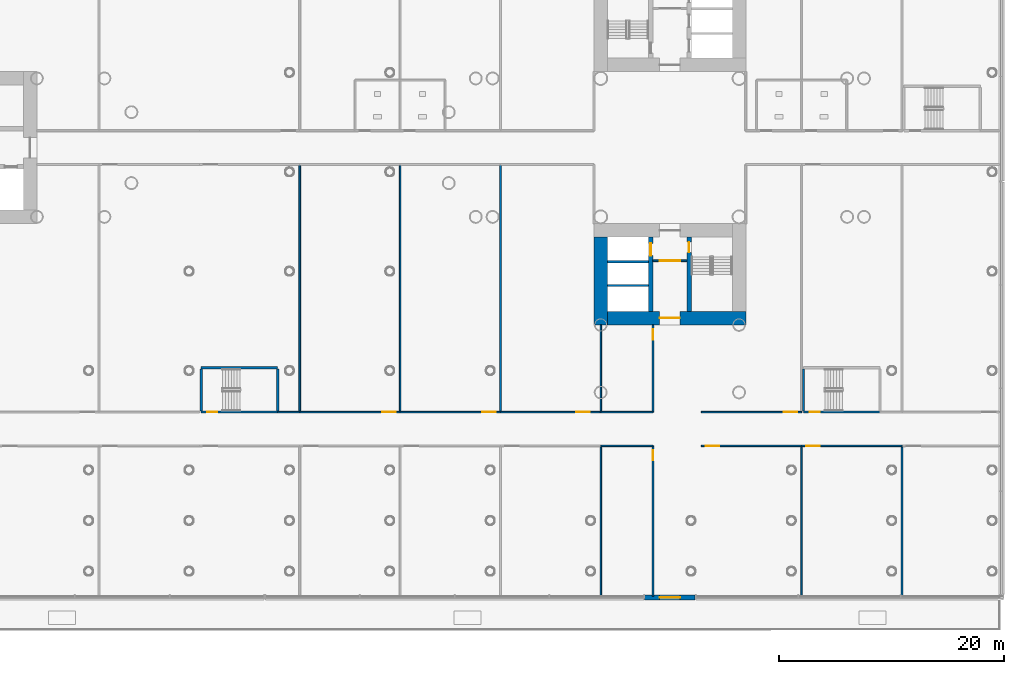
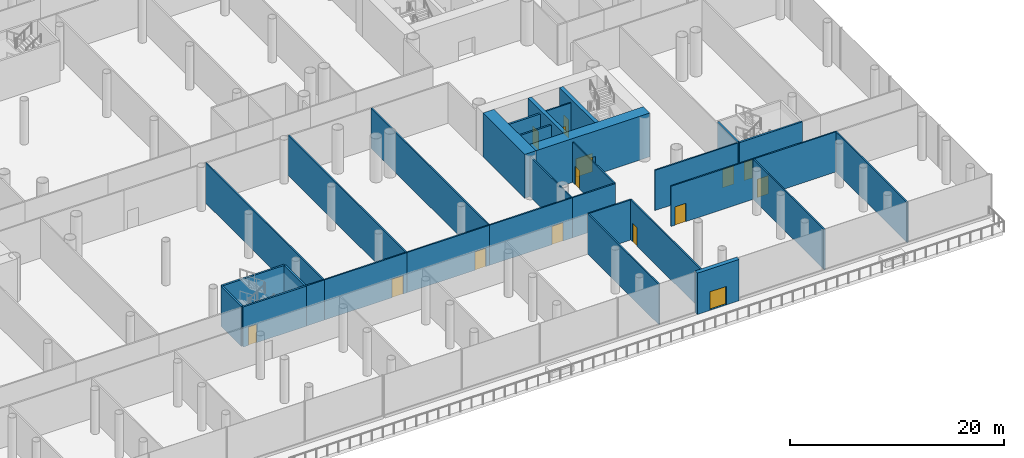
# One storey, part 20 of 59: 32 walls, 15 doors, 15 openings.
"""IFC4 building model written with IfcOpenShell, lengths in metres."""

from ifc_helpers import new_model, si_unit, direction, frame, frame_2d, origin, place, context, subcontext, project, spatial, rectangle, extrude, material, layer, layer_set, type_object, element, fill, save


model = new_model("IFC4")

# Units and contexts
model_context = context("Model", 3, precision=1e-05, world=origin(), true_north=direction((0.0, 1.0)))
body_context = subcontext(model_context, "Body", "Model", "MODEL_VIEW")
ifc_project = project(units=[si_unit("LENGTHUNIT", "METRE"), si_unit("AREAUNIT", "SQUARE_METRE"), si_unit("VOLUMEUNIT", "CUBIC_METRE"), si_unit("PLANEANGLEUNIT", "RADIAN"), si_unit("MASSUNIT", "GRAM", prefix="KILO")], contexts=[model_context])

# Site, building, storey
site_placement = place(None, origin())
site = spatial("IfcSite", under=ifc_project, at=site_placement, CompositionType="ELEMENT")
building_placement = place(site_placement, origin())
building = spatial("IfcBuilding", under=site, at=building_placement, Name="Ipe Terrace Towers", CompositionType="ELEMENT")
storey_placement = place(building_placement, frame((0.0, 0.0, 6.0)))
storey = spatial("IfcBuildingStorey", under=building, at=storey_placement, Name="L01", CompositionType="ELEMENT", Elevation=6.0)

# Wall, opening, door
ifc_material_1 = material(Name="Gypsum board partition", Category="plasterboard")
ifc_layer_1 = layer(ifc_material_1, 0.14990234375)
ifc_layer_set_1 = layer_set([ifc_layer_1], Name="Gypsum board partition 150 mm")
wall_type_1 = type_object("IfcWallType", Name="Gypsum board partition 150 mm", PredefinedType="PARTITIONING", material=ifc_layer_set_1)
wall_1_placement = place(storey_placement, frame((34.5, -10.050048828125, 0.0), z_axis=(0.0, 0.0, 1.0), x_axis=(1.0, 0.0, 0.0)))
wall_1 = element("IfcWall", 1, at=wall_1_placement, inside=storey, type_object=wall_type_1, Name="Gypsum board partition T2 L01 t2c2-lobby-wall", PredefinedType="PARTITIONING", context=body_context, shape_type="SweptSolid", body=[
    extrude(rectangle(XDim=3.0, YDim=0.14990234375, at=frame_2d((1.5, 0.0))), origin(), (0.0, 0.0, 1.0), 4.580078125),
])
opening_1_placement = place(wall_1_placement, frame((0.60009765625, 0.0, 0.0)))
opening_1 = element("IfcOpeningElement", 2, at=opening_1_placement, cuts=wall_1, Name="Opening T2C2-VD", PredefinedType="OPENING", context=body_context, shape_type="SweptSolid", body=[
    extrude(rectangle(XDim=1.800048828125, YDim=2.10009765625, at=frame_2d((0.89990234375, 1.050048828125))), frame((0.0, 0.0849609375, 0.0), z_axis=(0.0, -1.0, 0.0), x_axis=(1.0, 0.0, 0.0)), (0.0, 0.0, 1.0), 0.169921875),
])
ifc_material_2 = material(Name="Fire-rated timber door leaf", Category="wood")
door_type_1 = type_object("IfcDoorType", Name="Lobby door 1800 x 2100 FD60", OperationType="NOTDEFINED", PredefinedType="DOOR", material=ifc_material_2)
door_1_placement = place(opening_1_placement, origin())
door_1 = element("IfcDoor", 3, at=door_1_placement, inside=storey, type_object=door_type_1, Name="Lobby door T2C2-VD", OperationType="SINGLE_SWING_LEFT", OverallHeight=2.10009765625, OverallWidth=1.800048828125, PredefinedType="DOOR", context=body_context, shape_type="SweptSolid", body=[
    extrude(rectangle(XDim=1.800048828125, YDim=2.10009765625, at=frame_2d((0.89990234375, 1.050048828125))), frame((0.0, 0.02490234375, 0.0), z_axis=(0.0, -1.0, 0.0), x_axis=(1.0, 0.0, 0.0)), (0.0, 0.0, 1.0), 0.050048828125),
])
fill(opening_1, door_1)

# Walls
wall_2_placement = place(storey_placement, frame((3.110107421875, -23.5, 0.0), z_axis=(0.0, 0.0, 1.0), x_axis=(-1.0, 0.0, 0.0)))
element("IfcWall", 4, at=wall_2_placement, inside=storey, type_object=wall_type_1, Name="Gypsum board partition T2 L01 pd-r30-w5", PredefinedType="PARTITIONING", context=body_context, shape_type="SweptSolid", body=[
    extrude(rectangle(XDim=1.960205078125, YDim=0.14990234375, at=frame_2d((0.97998046875, 0.0))), origin(), (0.0, 0.0, 1.0), 4.580078125),
])
wall_3_placement = place(storey_placement, frame((3.110107421875, -1.5, 0.0), z_axis=(0.0, 0.0, 1.0), x_axis=(0.0, -1.0, 0.0)))
element("IfcWall", 5, at=wall_3_placement, inside=storey, type_object=wall_type_1, Name="Gypsum board partition T2 L01 pd-r30-r34-w6", PredefinedType="PARTITIONING", context=body_context, shape_type="SweptSolid", body=[
    extrude(rectangle(XDim=22.0, YDim=0.14990234375, at=frame_2d((11.0, 0.0))), origin(), (0.0, 0.0, 1.0), 4.580078125),
])

# Wall, opening, door
wall_4_placement = place(storey_placement, frame((12.030029296875, -23.5, 0.0), z_axis=(0.0, 0.0, 1.0), x_axis=(-1.0, 0.0, 0.0)))
wall_4 = element("IfcWall", 6, at=wall_4_placement, inside=storey, type_object=wall_type_1, Name="Gypsum board partition T2 L01 pd-r34-w15", PredefinedType="PARTITIONING", context=body_context, shape_type="SweptSolid", body=[
    extrude(rectangle(XDim=8.919921875, YDim=0.14990234375, at=frame_2d((4.4599609375, 0.0))), origin(), (0.0, 0.0, 1.0), 4.580078125),
])
opening_2_placement = place(wall_4_placement, frame((0.39990234375, 0.0, 0.0)))
opening_2 = element("IfcOpeningElement", 7, at=opening_2_placement, cuts=wall_4, Name="Opening PD-L01-r34", PredefinedType="OPENING", context=body_context, shape_type="SweptSolid", body=[
    extrude(rectangle(XDim=1.199951171875, YDim=2.10009765625, at=frame_2d((0.60009765625, 1.050048828125))), frame((0.0, 0.0849609375, 0.0), z_axis=(0.0, -1.0, 0.0), x_axis=(1.0, 0.0, 0.0)), (0.0, 0.0, 1.0), 0.169921875),
])
ifc_material_3 = material(Name="Fire-rated timber door leaf", Category="wood")
door_type_2 = type_object("IfcDoorType", Name="Lounge door 1200 x 2100 FD30S", OperationType="NOTDEFINED", PredefinedType="DOOR", material=ifc_material_3)
door_2_placement = place(opening_2_placement, origin())
door_2 = element("IfcDoor", 8, at=door_2_placement, inside=storey, type_object=door_type_2, Name="Lounge door PD-L01-r34", OperationType="SINGLE_SWING_RIGHT", OverallHeight=2.10009765625, OverallWidth=1.199951171875, PredefinedType="DOOR", context=body_context, shape_type="SweptSolid", body=[
    extrude(rectangle(XDim=1.199951171875, YDim=2.10009765625, at=frame_2d((0.60009765625, 1.050048828125))), frame((0.0, 0.02490234375, 0.0), z_axis=(0.0, -1.0, 0.0), x_axis=(1.0, 0.0, 0.0)), (0.0, 0.0, 1.0), 0.050048828125),
])
fill(opening_2, door_2)

# Wall
wall_5_placement = place(storey_placement, frame((12.030029296875, -1.5, 0.0), z_axis=(0.0, 0.0, 1.0), x_axis=(0.0, -1.0, 0.0)))
element("IfcWall", 9, at=wall_5_placement, inside=storey, type_object=wall_type_1, Name="Gypsum board partition T2 L01 pd-r34-r37-w17", PredefinedType="PARTITIONING", context=body_context, shape_type="SweptSolid", body=[
    extrude(rectangle(XDim=22.0, YDim=0.14990234375, at=frame_2d((11.0, 0.0))), origin(), (0.0, 0.0, 1.0), 4.580078125),
])

# Wall, opening, door
wall_6_placement = place(storey_placement, frame((20.949951171875, -23.5, 0.0), z_axis=(0.0, 0.0, 1.0), x_axis=(-1.0, 0.0, 0.0)))
wall_6 = element("IfcWall", 10, at=wall_6_placement, inside=storey, type_object=wall_type_1, Name="Gypsum board partition T2 L01 pd-r37-w22", PredefinedType="PARTITIONING", context=body_context, shape_type="SweptSolid", body=[
    extrude(rectangle(XDim=8.919921875, YDim=0.14990234375, at=frame_2d((4.4599609375, 0.0))), origin(), (0.0, 0.0, 1.0), 4.580078125),
])
opening_3_placement = place(wall_6_placement, frame((0.39990234375, 0.0, 0.0)))
opening_3 = element("IfcOpeningElement", 11, at=opening_3_placement, cuts=wall_6, Name="Opening PD-L01-r37", PredefinedType="OPENING", context=body_context, shape_type="SweptSolid", body=[
    extrude(rectangle(XDim=1.199951171875, YDim=2.10009765625, at=frame_2d((0.60009765625, 1.050048828125))), frame((0.0, 0.0849609375, 0.0), z_axis=(0.0, -1.0, 0.0), x_axis=(1.0, 0.0, 0.0)), (0.0, 0.0, 1.0), 0.169921875),
])
door_3_placement = place(opening_3_placement, origin())
door_3 = element("IfcDoor", 12, at=door_3_placement, inside=storey, type_object=door_type_2, Name="Lounge door PD-L01-r37", OperationType="SINGLE_SWING_RIGHT", OverallHeight=2.10009765625, OverallWidth=1.199951171875, PredefinedType="DOOR", context=body_context, shape_type="SweptSolid", body=[
    extrude(rectangle(XDim=1.199951171875, YDim=2.10009765625, at=frame_2d((0.60009765625, 1.050048828125))), frame((0.0, 0.02490234375, 0.0), z_axis=(0.0, -1.0, 0.0), x_axis=(1.0, 0.0, 0.0)), (0.0, 0.0, 1.0), 0.050048828125),
])
fill(opening_3, door_3)

# Wall
wall_7_placement = place(storey_placement, frame((20.949951171875, -1.5, 0.0), z_axis=(0.0, 0.0, 1.0), x_axis=(0.0, -1.0, 0.0)))
element("IfcWall", 13, at=wall_7_placement, inside=storey, type_object=wall_type_1, Name="Gypsum board partition T2 L01 pd-r37-r40-w24", PredefinedType="PARTITIONING", context=body_context, shape_type="SweptSolid", body=[
    extrude(rectangle(XDim=22.0, YDim=0.14990234375, at=frame_2d((11.0, 0.0))), origin(), (0.0, 0.0, 1.0), 4.580078125),
])

# Wall, opening, door
wall_8_placement = place(storey_placement, frame((29.8701171875, -23.5, 0.0), z_axis=(0.0, 0.0, 1.0), x_axis=(-1.0, 0.0, 0.0)))
wall_8 = element("IfcWall", 14, at=wall_8_placement, inside=storey, type_object=wall_type_1, Name="Gypsum board partition T2 L01 pd-r40-w31", PredefinedType="PARTITIONING", context=body_context, shape_type="SweptSolid", body=[
    extrude(rectangle(XDim=8.920166015625, YDim=0.14990234375, at=frame_2d((4.4599609375, 0.0))), origin(), (0.0, 0.0, 1.0), 4.580078125),
])
opening_4_placement = place(wall_8_placement, frame((1.0, 0.0, 0.0)))
opening_4 = element("IfcOpeningElement", 15, at=opening_4_placement, cuts=wall_8, Name="Opening PD-L01-r40", PredefinedType="OPENING", context=body_context, shape_type="SweptSolid", body=[
    extrude(rectangle(XDim=1.199951171875, YDim=2.10009765625, at=frame_2d((0.60009765625, 1.050048828125))), frame((0.0, 0.0849609375, 0.0), z_axis=(0.0, -1.0, 0.0), x_axis=(1.0, 0.0, 0.0)), (0.0, 0.0, 1.0), 0.169921875),
])
door_4_placement = place(opening_4_placement, origin())
door_4 = element("IfcDoor", 16, at=door_4_placement, inside=storey, type_object=door_type_2, Name="Lounge door PD-L01-r40", OperationType="SINGLE_SWING_RIGHT", OverallHeight=2.10009765625, OverallWidth=1.199951171875, PredefinedType="DOOR", context=body_context, shape_type="SweptSolid", body=[
    extrude(rectangle(XDim=1.199951171875, YDim=2.10009765625, at=frame_2d((0.60009765625, 1.050048828125))), frame((0.0, 0.02490234375, 0.0), z_axis=(0.0, -1.0, 0.0), x_axis=(1.0, 0.0, 0.0)), (0.0, 0.0, 1.0), 0.050048828125),
])
fill(opening_4, door_4)

# Walls
wall_9_placement = place(storey_placement, frame((29.8701171875, -15.75, 0.0), z_axis=(0.0, 0.0, 1.0), x_axis=(0.0, -1.0, 0.0)))
element("IfcWall", 17, at=wall_9_placement, inside=storey, type_object=wall_type_1, Name="Gypsum board partition T2 L01 pd-r40-r45-w33", PredefinedType="PARTITIONING", context=body_context, shape_type="SweptSolid", body=[
    extrude(rectangle(XDim=7.75, YDim=0.14990234375, at=frame_2d((3.875, 0.0))), origin(), (0.0, 0.0, 1.0), 4.580078125),
])
wall_10_placement = place(storey_placement, frame((29.8701171875, -26.5, 0.0), z_axis=(0.0, 0.0, 1.0), x_axis=(0.0, -1.0, 0.0)))
element("IfcWall", 18, at=wall_10_placement, inside=storey, type_object=wall_type_1, Name="Gypsum board partition T2 L01 pd-r42-r44-w39", PredefinedType="PARTITIONING", context=body_context, shape_type="SweptSolid", body=[
    extrude(rectangle(XDim=13.35009765625, YDim=0.14990234375, at=frame_2d((6.675048828125, 0.0))), origin(), (0.0, 0.0, 1.0), 4.580078125),
])
wall_11_placement = place(storey_placement, frame((29.8701171875, -26.5, 0.0), z_axis=(0.0, 0.0, 1.0), x_axis=(1.0, 0.0, 0.0)))
element("IfcWall", 19, at=wall_11_placement, inside=storey, type_object=wall_type_1, Name="Gypsum board partition T2 L01 pd-r44-w41", PredefinedType="PARTITIONING", context=body_context, shape_type="SweptSolid", body=[
    extrude(rectangle(XDim=4.6298828125, YDim=0.14990234375, at=frame_2d((2.31494140625, 0.0))), origin(), (0.0, 0.0, 1.0), 4.580078125),
])

# Wall, opening, door
wall_12_placement = place(storey_placement, frame((34.5, -26.5, 0.0), z_axis=(0.0, 0.0, 1.0), x_axis=(0.0, -1.0, 0.0)))
wall_12 = element("IfcWall", 20, at=wall_12_placement, inside=storey, type_object=wall_type_1, Name="Gypsum board partition T2 L01 pd-r44-w42", PredefinedType="PARTITIONING", context=body_context, shape_type="SweptSolid", body=[
    extrude(rectangle(XDim=13.35009765625, YDim=0.14990234375, at=frame_2d((6.675048828125, 0.0))), origin(), (0.0, 0.0, 1.0), 4.580078125),
])
opening_5_placement = place(wall_12_placement, frame((0.39990234375, 0.0, 0.0)))
opening_5 = element("IfcOpeningElement", 21, at=opening_5_placement, cuts=wall_12, Name="Opening PD-L01-r44", PredefinedType="OPENING", context=body_context, shape_type="SweptSolid", body=[
    extrude(rectangle(XDim=0.89990234375, YDim=2.10009765625, at=frame_2d((0.449951171875, 1.050048828125))), frame((0.0, 0.0849609375, 0.0), z_axis=(0.0, -1.0, 0.0), x_axis=(1.0, 0.0, 0.0)), (0.0, 0.0, 1.0), 0.169921875),
])
ifc_material_4 = material(Name="Fire-rated timber door leaf", Category="wood")
door_type_3 = type_object("IfcDoorType", Name="Lounge door 900 x 2100 FD30S", OperationType="NOTDEFINED", PredefinedType="DOOR", material=ifc_material_4)
door_5_placement = place(opening_5_placement, origin())
door_5 = element("IfcDoor", 22, at=door_5_placement, inside=storey, type_object=door_type_3, Name="Lounge door PD-L01-r44", OperationType="SINGLE_SWING_RIGHT", OverallHeight=2.10009765625, OverallWidth=0.89990234375, PredefinedType="DOOR", context=body_context, shape_type="SweptSolid", body=[
    extrude(rectangle(XDim=0.89990234375, YDim=2.10009765625, at=frame_2d((0.449951171875, 1.050048828125))), frame((0.0, 0.02490234375, 0.0), z_axis=(0.0, -1.0, 0.0), x_axis=(1.0, 0.0, 0.0)), (0.0, 0.0, 1.0), 0.050048828125),
])
fill(opening_5, door_5)

wall_13_placement = place(storey_placement, frame((34.5, -15.75, 0.0), z_axis=(0.0, 0.0, 1.0), x_axis=(0.0, -1.0, 0.0)))
wall_13 = element("IfcWall", 23, at=wall_13_placement, inside=storey, type_object=wall_type_1, Name="Gypsum board partition T2 L01 pd-r45-w43", PredefinedType="PARTITIONING", context=body_context, shape_type="SweptSolid", body=[
    extrude(rectangle(XDim=7.75, YDim=0.14990234375, at=frame_2d((3.875, 0.0))), origin(), (0.0, 0.0, 1.0), 4.580078125),
])
opening_6_placement = place(wall_13_placement, frame((0.39990234375, 0.0, 0.0)))
opening_6 = element("IfcOpeningElement", 24, at=opening_6_placement, cuts=wall_13, Name="Opening PD-L01-r45", PredefinedType="OPENING", context=body_context, shape_type="SweptSolid", body=[
    extrude(rectangle(XDim=0.89990234375, YDim=2.10009765625, at=frame_2d((0.449951171875, 1.050048828125))), frame((0.0, 0.0849609375, 0.0), z_axis=(0.0, -1.0, 0.0), x_axis=(1.0, 0.0, 0.0)), (0.0, 0.0, 1.0), 0.169921875),
])
door_6_placement = place(opening_6_placement, origin())
door_6 = element("IfcDoor", 25, at=door_6_placement, inside=storey, type_object=door_type_3, Name="Lounge door PD-L01-r45", OperationType="SINGLE_SWING_RIGHT", OverallHeight=2.10009765625, OverallWidth=0.89990234375, PredefinedType="DOOR", context=body_context, shape_type="SweptSolid", body=[
    extrude(rectangle(XDim=0.89990234375, YDim=2.10009765625, at=frame_2d((0.449951171875, 1.050048828125))), frame((0.0, 0.02490234375, 0.0), z_axis=(0.0, -1.0, 0.0), x_axis=(1.0, 0.0, 0.0)), (0.0, 0.0, 1.0), 0.050048828125),
])
fill(opening_6, door_6)

# Wall
wall_14_placement = place(storey_placement, frame((34.5, -23.5, 0.0), z_axis=(0.0, 0.0, 1.0), x_axis=(-1.0, 0.0, 0.0)))
element("IfcWall", 26, at=wall_14_placement, inside=storey, type_object=wall_type_1, Name="Gypsum board partition T2 L01 pd-r45-w44", PredefinedType="PARTITIONING", context=body_context, shape_type="SweptSolid", body=[
    extrude(rectangle(XDim=4.6298828125, YDim=0.14990234375, at=frame_2d((2.31494140625, 0.0))), origin(), (0.0, 0.0, 1.0), 4.580078125),
])

# Wall, opening, door
wall_15_placement = place(storey_placement, frame((38.7900390625, -26.5, 0.0), z_axis=(0.0, 0.0, 1.0), x_axis=(1.0, 0.0, 0.0)))
wall_15 = element("IfcWall", 27, at=wall_15_placement, inside=storey, type_object=wall_type_1, Name="Gypsum board partition T2 L01 pd-r47-w47", PredefinedType="PARTITIONING", context=body_context, shape_type="SweptSolid", body=[
    extrude(rectangle(XDim=8.919921875, YDim=0.14990234375, at=frame_2d((4.4599609375, 0.0))), origin(), (0.0, 0.0, 1.0), 4.580078125),
])
opening_7_placement = place(wall_15_placement, frame((0.39990234375, 0.0, 0.0)))
opening_7 = element("IfcOpeningElement", 28, at=opening_7_placement, cuts=wall_15, Name="Opening PD-L01-r47", PredefinedType="OPENING", context=body_context, shape_type="SweptSolid", body=[
    extrude(rectangle(XDim=1.199951171875, YDim=2.10009765625, at=frame_2d((0.60009765625, 1.050048828125))), frame((0.0, 0.0849609375, 0.0), z_axis=(0.0, -1.0, 0.0), x_axis=(1.0, 0.0, 0.0)), (0.0, 0.0, 1.0), 0.169921875),
])
door_7_placement = place(opening_7_placement, origin())
door_7 = element("IfcDoor", 29, at=door_7_placement, inside=storey, type_object=door_type_2, Name="Lounge door PD-L01-r47", OperationType="SINGLE_SWING_RIGHT", OverallHeight=2.10009765625, OverallWidth=1.199951171875, PredefinedType="DOOR", context=body_context, shape_type="SweptSolid", body=[
    extrude(rectangle(XDim=1.199951171875, YDim=2.10009765625, at=frame_2d((0.60009765625, 1.050048828125))), frame((0.0, 0.02490234375, 0.0), z_axis=(0.0, -1.0, 0.0), x_axis=(1.0, 0.0, 0.0)), (0.0, 0.0, 1.0), 0.050048828125),
])
fill(opening_7, door_7)

# Wall
wall_16_placement = place(storey_placement, frame((47.7099609375, -26.5, 0.0), z_axis=(0.0, 0.0, 1.0), x_axis=(0.0, -1.0, 0.0)))
element("IfcWall", 30, at=wall_16_placement, inside=storey, type_object=wall_type_1, Name="Gypsum board partition T2 L01 pd-r47-r51-w48", PredefinedType="PARTITIONING", context=body_context, shape_type="SweptSolid", body=[
    extrude(rectangle(XDim=13.35009765625, YDim=0.14990234375, at=frame_2d((6.675048828125, 0.0))), origin(), (0.0, 0.0, 1.0), 4.580078125),
])

# Wall, opening, door
wall_17_placement = place(storey_placement, frame((47.7099609375, -23.5, 0.0), z_axis=(0.0, 0.0, 1.0), x_axis=(-1.0, 0.0, 0.0)))
wall_17 = element("IfcWall", 31, at=wall_17_placement, inside=storey, type_object=wall_type_1, Name="Gypsum board partition T2 L01 pd-r50-w57", PredefinedType="PARTITIONING", context=body_context, shape_type="SweptSolid", body=[
    extrude(rectangle(XDim=8.919921875, YDim=0.14990234375, at=frame_2d((4.4599609375, 0.0))), origin(), (0.0, 0.0, 1.0), 4.580078125),
])
opening_8_placement = place(wall_17_placement, frame((0.39990234375, 0.0, 0.0)))
opening_8 = element("IfcOpeningElement", 32, at=opening_8_placement, cuts=wall_17, Name="Opening PD-L01-r50", PredefinedType="OPENING", context=body_context, shape_type="SweptSolid", body=[
    extrude(rectangle(XDim=1.199951171875, YDim=2.10009765625, at=frame_2d((0.60009765625, 1.050048828125))), frame((0.0, 0.0849609375, 0.0), z_axis=(0.0, -1.0, 0.0), x_axis=(1.0, 0.0, 0.0)), (0.0, 0.0, 1.0), 0.169921875),
])
door_8_placement = place(opening_8_placement, origin())
door_8 = element("IfcDoor", 33, at=door_8_placement, inside=storey, type_object=door_type_2, Name="Lounge door PD-L01-r50", OperationType="SINGLE_SWING_RIGHT", OverallHeight=2.10009765625, OverallWidth=1.199951171875, PredefinedType="DOOR", context=body_context, shape_type="SweptSolid", body=[
    extrude(rectangle(XDim=1.199951171875, YDim=2.10009765625, at=frame_2d((0.60009765625, 1.050048828125))), frame((0.0, 0.02490234375, 0.0), z_axis=(0.0, -1.0, 0.0), x_axis=(1.0, 0.0, 0.0)), (0.0, 0.0, 1.0), 0.050048828125),
])
fill(opening_8, door_8)

wall_18_placement = place(storey_placement, frame((47.7099609375, -26.5, 0.0), z_axis=(0.0, 0.0, 1.0), x_axis=(1.0, 0.0, 0.0)))
wall_18 = element("IfcWall", 34, at=wall_18_placement, inside=storey, type_object=wall_type_1, Name="Gypsum board partition T2 L01 pd-r51-w59", PredefinedType="PARTITIONING", context=body_context, shape_type="SweptSolid", body=[
    extrude(rectangle(XDim=8.919921875, YDim=0.14990234375, at=frame_2d((4.4599609375, 0.0))), origin(), (0.0, 0.0, 1.0), 4.580078125),
])
opening_9_placement = place(wall_18_placement, frame((0.39990234375, 0.0, 0.0)))
opening_9 = element("IfcOpeningElement", 35, at=opening_9_placement, cuts=wall_18, Name="Opening PD-L01-r51", PredefinedType="OPENING", context=body_context, shape_type="SweptSolid", body=[
    extrude(rectangle(XDim=1.199951171875, YDim=2.10009765625, at=frame_2d((0.60009765625, 1.050048828125))), frame((0.0, 0.0849609375, 0.0), z_axis=(0.0, -1.0, 0.0), x_axis=(1.0, 0.0, 0.0)), (0.0, 0.0, 1.0), 0.169921875),
])
door_9_placement = place(opening_9_placement, origin())
door_9 = element("IfcDoor", 36, at=door_9_placement, inside=storey, type_object=door_type_2, Name="Lounge door PD-L01-r51", OperationType="SINGLE_SWING_RIGHT", OverallHeight=2.10009765625, OverallWidth=1.199951171875, PredefinedType="DOOR", context=body_context, shape_type="SweptSolid", body=[
    extrude(rectangle(XDim=1.199951171875, YDim=2.10009765625, at=frame_2d((0.60009765625, 1.050048828125))), frame((0.0, 0.02490234375, 0.0), z_axis=(0.0, -1.0, 0.0), x_axis=(1.0, 0.0, 0.0)), (0.0, 0.0, 1.0), 0.050048828125),
])
fill(opening_9, door_9)

# Walls
wall_19_placement = place(storey_placement, frame((56.6298828125, -26.5, 0.0), z_axis=(0.0, 0.0, 1.0), x_axis=(0.0, -1.0, 0.0)))
element("IfcWall", 37, at=wall_19_placement, inside=storey, type_object=wall_type_1, Name="Gypsum board partition T2 L01 pd-r51-r55-w60", PredefinedType="PARTITIONING", context=body_context, shape_type="SweptSolid", body=[
    extrude(rectangle(XDim=13.35009765625, YDim=0.14990234375, at=frame_2d((6.675048828125, 0.0))), origin(), (0.0, 0.0, 1.0), 4.580078125),
])
ifc_material_5 = material(Name="Gypsum board party wall", Category="plasterboard")
ifc_layer_2 = layer(ifc_material_5, 0.199951171875)
ifc_layer_set_2 = layer_set([ifc_layer_2], Name="Gypsum board party wall 200 mm")
wall_type_2 = type_object("IfcWallType", Name="Gypsum board party wall 200 mm", PredefinedType="SOLIDWALL", material=ifc_layer_set_2)
for number, where, z_axis, x_axis, name in (
    (38, (30.449951171875, -10.14990234375, 0.0), (0.0, 0.0, 1.0), (1.0, 0.0, 0.0), "Gypsum board party wall T2 L01 t2c2-shaft-div1"),
    (39, (30.449951171875, -12.25, 0.0), (0.0, 0.0, 1.0), (1.0, 0.0, 0.0), "Gypsum board party wall T2 L01 t2c2-shaft-div2"),
):
    element("IfcWall", number, at=place(storey_placement, frame(where, z_axis=z_axis, x_axis=x_axis)), inside=storey, type_object=wall_type_2, Name=name, PredefinedType="SOLIDWALL", context=body_context, shape_type="SweptSolid", body=[
        extrude(rectangle(XDim=3.650146484375, YDim=0.199951171875, at=frame_2d((1.8251953125, 0.0))), origin(), (0.0, 0.0, 1.0), 4.580078125),
    ])

# Wall, opening, door
ifc_material_6 = material(Name="Concrete C40/50 with buff precast cladding", Category="concrete")
ifc_layer_3 = layer(ifc_material_6, 0.43994140625)
ifc_layer_set_3 = layer_set([ifc_layer_3], Name="PODIUM CLADDING WALL 440")
wall_type_3 = type_object("IfcWallType", Name="PODIUM CLADDING WALL 440", PredefinedType="STANDARD", material=ifc_layer_set_3)
wall_20_placement = place(storey_placement, frame((33.75, -39.969970703125, -0.02001953125), z_axis=(0.0, 0.0, 1.0), x_axis=(1.0, 0.0, 0.0)))
wall_20 = element("IfcWall", 40, at=wall_20_placement, inside=storey, type_object=wall_type_3, Name="POD-W-L01-03e wall", PredefinedType="STANDARD", context=body_context, shape_type="SweptSolid", body=[
    extrude(rectangle(XDim=4.5, YDim=0.43994140625, at=frame_2d((2.25, 0.0))), origin(), (0.0, 0.0, 1.0), 4.719970703125),
])
opening_10_placement = place(wall_20_placement, frame((1.35009765625, 0.0, 0.02001953125)))
opening_10 = element("IfcOpeningElement", 41, at=opening_10_placement, cuts=wall_20, Name="Opening POD-D-L01-01", PredefinedType="OPENING", context=body_context, shape_type="SweptSolid", body=[
    extrude(rectangle(XDim=1.800048828125, YDim=2.10009765625, at=frame_2d((0.89990234375, 1.050048828125))), frame((0.0, 0.22998046875, 0.0), z_axis=(0.0, -1.0, 0.0), x_axis=(1.0, 0.0, 0.0)), (0.0, 0.0, 1.0), 0.4599609375),
])
ifc_material_7 = material(Name="Aluminium alloy 6063-T6 framed glazed door", Category="aluminium")
door_type_4 = type_object("IfcDoorType", Name="PODIUM TERRACE DOOR 1800 x 2100", OperationType="DOUBLE_DOOR_SINGLE_SWING", PredefinedType="DOOR", material=ifc_material_7)
door_10_placement = place(opening_10_placement, origin())
door_10 = element("IfcDoor", 42, at=door_10_placement, inside=storey, type_object=door_type_4, Name="DT2 terrace door", OperationType="DOUBLE_DOOR_SINGLE_SWING", OverallHeight=2.10009765625, OverallWidth=1.800048828125, PredefinedType="DOOR", context=body_context, shape_type="SweptSolid", body=[
    extrude(rectangle(XDim=1.800048828125, YDim=2.10009765625, at=frame_2d((0.89990234375, 1.050048828125))), frame((0.0, 0.02490234375, 0.0), z_axis=(0.0, -1.0, 0.0), x_axis=(1.0, 0.0, 0.0)), (0.0, 0.0, 1.0), 0.050048828125),
])
fill(opening_10, door_10)

ifc_material_8 = material(Name="Concrete C60/75", Category="concrete")
ifc_layer_4 = layer(ifc_material_8, 1.199951171875)
ifc_layer_set_4 = layer_set([ifc_layer_4], Name="RW1200 CORE WALL 1200 C60-75")
wall_type_4 = type_object("IfcWallType", Name="RW1200 CORE WALL 1200 C60-75", PredefinedType="SHEAR", material=ifc_layer_set_4)
wall_21_placement = place(storey_placement, frame((30.449951171875, -15.14990234375, 0.0), z_axis=(0.0, 0.0, 1.0), x_axis=(1.0, 0.0, 0.0)))
wall_21 = element("IfcWall", 43, at=wall_21_placement, inside=storey, type_object=wall_type_4, Name="Core wall T2-C2-P-W01", PredefinedType="SHEAR", context=body_context, shape_type="SweptSolid", body=[
    extrude(rectangle(XDim=12.300048828125, YDim=1.199951171875, at=frame_2d((6.14990234375, 0.0))), origin(), (0.0, 0.0, 1.0), 5.0),
])
opening_11_placement = place(wall_21_placement, frame((4.64990234375, 0.0, 0.0)))
opening_11 = element("IfcOpeningElement", 44, at=opening_11_placement, cuts=wall_21, Name="Opening T2C2-FD", PredefinedType="OPENING", context=body_context, shape_type="SweptSolid", body=[
    extrude(rectangle(XDim=1.800048828125, YDim=2.10009765625, at=frame_2d((0.89990234375, 1.050048828125))), frame((0.0, 0.60986328125, 0.0), z_axis=(0.0, -1.0, 0.0), x_axis=(1.0, 0.0, 0.0)), (0.0, 0.0, 1.0), 1.219970703125),
])
ifc_material_9 = material(Name="Fire-rated timber door leaf", Category="wood")
door_type_5 = type_object("IfcDoorType", Name="Fire door 1800 x 2100 FD30S", OperationType="NOTDEFINED", PredefinedType="DOOR", material=ifc_material_9)
door_11_placement = place(opening_11_placement, origin())
door_11 = element("IfcDoor", 45, at=door_11_placement, inside=storey, type_object=door_type_5, Name="Fire door T2C2-FD", OperationType="SINGLE_SWING_LEFT", OverallHeight=2.10009765625, OverallWidth=1.800048828125, PredefinedType="DOOR", context=body_context, shape_type="SweptSolid", body=[
    extrude(rectangle(XDim=1.800048828125, YDim=2.10009765625, at=frame_2d((0.89990234375, 1.050048828125))), frame((0.0, 0.02490234375, 0.0), z_axis=(0.0, -1.0, 0.0), x_axis=(1.0, 0.0, 0.0)), (0.0, 0.0, 1.0), 0.050048828125),
])
fill(opening_11, door_11)

# Wall
wall_22_placement = place(storey_placement, frame((29.85009765625, -7.949951171875, 0.0), z_axis=(0.0, 0.0, 1.0), x_axis=(0.0, -1.0, 0.0)))
element("IfcWall", 46, at=wall_22_placement, inside=storey, type_object=wall_type_4, Name="Core wall T2-C2-P-W04", PredefinedType="SHEAR", context=body_context, shape_type="SweptSolid", body=[
    extrude(rectangle(XDim=7.800048828125, YDim=1.199951171875, at=frame_2d((3.89990234375, 0.0))), origin(), (0.0, 0.0, 1.0), 5.0),
])

# Wall, opening, door
ifc_material_10 = material(Name="Concrete C40/50", Category="concrete")
ifc_layer_5 = layer(ifc_material_10, 0.199951171875)
ifc_layer_set_5 = layer_set([ifc_layer_5], Name="RW200 PODIUM STAIR SHAFT WALL 200 C40-50")
wall_type_5 = type_object("IfcWallType", Name="RW200 PODIUM STAIR SHAFT WALL 200 C40-50", PredefinedType="SHEAR", material=ifc_layer_set_5)
wall_23_placement = place(storey_placement, frame((-5.64990234375, -23.5, 0.0), z_axis=(0.0, 0.0, 1.0), x_axis=(1.0, 0.0, 0.0)))
wall_23 = element("IfcWall", 47, at=wall_23_placement, inside=storey, type_object=wall_type_5, Name="Stair shaft wall T1 L01 ps5-c", PredefinedType="SHEAR", context=body_context, shape_type="SweptSolid", body=[
    extrude(rectangle(XDim=6.7998046875, YDim=0.199951171875, at=frame_2d((3.39990234375, 0.0))), origin(), (0.0, 0.0, 1.0), 4.580078125),
])
opening_12_placement = place(wall_23_placement, frame((0.550048828125, 0.0, 0.0)))
opening_12 = element("IfcOpeningElement", 48, at=opening_12_placement, cuts=wall_23, Name="Opening PS5-SD", PredefinedType="OPENING", context=body_context, shape_type="SweptSolid", body=[
    extrude(rectangle(XDim=0.89990234375, YDim=2.10009765625, at=frame_2d((0.449951171875, 1.050048828125))), frame((0.0, 0.10986328125, 0.0), z_axis=(0.0, -1.0, 0.0), x_axis=(1.0, 0.0, 0.0)), (0.0, 0.0, 1.0), 0.219970703125),
])
ifc_material_11 = material(Name="Fire-rated timber door leaf", Category="wood")
door_type_6 = type_object("IfcDoorType", Name="Stair door 900 x 2100 FD60", OperationType="NOTDEFINED", PredefinedType="DOOR", material=ifc_material_11)
door_12_placement = place(opening_12_placement, origin())
door_12 = element("IfcDoor", 49, at=door_12_placement, inside=storey, type_object=door_type_6, Name="Stair door PS5-SD", OperationType="SINGLE_SWING_RIGHT", OverallHeight=2.10009765625, OverallWidth=0.89990234375, PredefinedType="DOOR", context=body_context, shape_type="SweptSolid", body=[
    extrude(rectangle(XDim=0.89990234375, YDim=2.10009765625, at=frame_2d((0.449951171875, 1.050048828125))), frame((0.0, 0.02490234375, 0.0), z_axis=(0.0, -1.0, 0.0), x_axis=(1.0, 0.0, 0.0)), (0.0, 0.0, 1.0), 0.050048828125),
])
fill(opening_12, door_12)

# Walls
wall_24_placement = place(storey_placement, frame((-5.64990234375, -19.550048828125, 0.0), z_axis=(0.0, 0.0, 1.0), x_axis=(1.0, 0.0, 0.0)))
element("IfcWall", 50, at=wall_24_placement, inside=storey, type_object=wall_type_5, Name="Stair shaft wall T1 L01 ps5-f", PredefinedType="SHEAR", context=body_context, shape_type="SweptSolid", body=[
    extrude(rectangle(XDim=6.7998046875, YDim=0.199951171875, at=frame_2d((3.39990234375, 0.0))), origin(), (0.0, 0.0, 1.0), 4.580078125),
])
for number, where, z_axis, x_axis, name in (
    (51, (-5.64990234375, -23.39990234375, 0.0), (0.0, 0.0, 1.0), (0.0, 1.0, 0.0), "Stair shaft wall T1 L01 ps5-w"),
    (52, (1.14990234375, -23.39990234375, 0.0), (0.0, 0.0, 1.0), (0.0, 1.0, 0.0), "Stair shaft wall T1 L01 ps5-e"),
):
    element("IfcWall", number, at=place(storey_placement, frame(where, z_axis=z_axis, x_axis=x_axis)), inside=storey, type_object=wall_type_5, Name=name, PredefinedType="SHEAR", context=body_context, shape_type="SweptSolid", body=[
        extrude(rectangle(XDim=3.75, YDim=0.199951171875, at=frame_2d((1.875, 0.0))), origin(), (0.0, 0.0, 1.0), 4.580078125),
    ])

# Wall, opening, door
wall_25_placement = place(storey_placement, frame((47.8701171875, -23.5, 0.0), z_axis=(0.0, 0.0, 1.0), x_axis=(1.0, 0.0, 0.0)))
wall_25 = element("IfcWall", 53, at=wall_25_placement, inside=storey, type_object=wall_type_5, Name="Stair shaft wall T2 L01 ps6-c", PredefinedType="SHEAR", context=body_context, shape_type="SweptSolid", body=[
    extrude(rectangle(XDim=6.7998046875, YDim=0.199951171875, at=frame_2d((3.39990234375, 0.0))), origin(), (0.0, 0.0, 1.0), 4.580078125),
])
opening_13_placement = place(wall_25_placement, frame((0.550048828125, 0.0, 0.0)))
opening_13 = element("IfcOpeningElement", 54, at=opening_13_placement, cuts=wall_25, Name="Opening PS6-SD", PredefinedType="OPENING", context=body_context, shape_type="SweptSolid", body=[
    extrude(rectangle(XDim=0.89990234375, YDim=2.10009765625, at=frame_2d((0.449951171875, 1.050048828125))), frame((0.0, 0.10986328125, 0.0), z_axis=(0.0, -1.0, 0.0), x_axis=(1.0, 0.0, 0.0)), (0.0, 0.0, 1.0), 0.219970703125),
])
door_13_placement = place(opening_13_placement, origin())
door_13 = element("IfcDoor", 55, at=door_13_placement, inside=storey, type_object=door_type_6, Name="Stair door PS6-SD", OperationType="SINGLE_SWING_RIGHT", OverallHeight=2.10009765625, OverallWidth=0.89990234375, PredefinedType="DOOR", context=body_context, shape_type="SweptSolid", body=[
    extrude(rectangle(XDim=0.89990234375, YDim=2.10009765625, at=frame_2d((0.449951171875, 1.050048828125))), frame((0.0, 0.02490234375, 0.0), z_axis=(0.0, -1.0, 0.0), x_axis=(1.0, 0.0, 0.0)), (0.0, 0.0, 1.0), 0.050048828125),
])
fill(opening_13, door_13)

# Wall
wall_26_placement = place(storey_placement, frame((47.8701171875, -23.39990234375, 0.0), z_axis=(0.0, 0.0, 1.0), x_axis=(0.0, 1.0, 0.0)))
element("IfcWall", 56, at=wall_26_placement, inside=storey, type_object=wall_type_5, Name="Stair shaft wall T2 L01 ps6-w", PredefinedType="SHEAR", context=body_context, shape_type="SweptSolid", body=[
    extrude(rectangle(XDim=3.75, YDim=0.199951171875, at=frame_2d((1.875, 0.0))), origin(), (0.0, 0.0, 1.0), 4.580078125),
])

# Wall, opening, door
ifc_material_12 = material(Name="Concrete C60/75", Category="concrete")
ifc_layer_6 = layer(ifc_material_12, 0.39990234375)
ifc_layer_set_6 = layer_set([ifc_layer_6], Name="RW400 CORE SPINE WALL 400 C60-75")
wall_type_6 = type_object("IfcWallType", Name="RW400 CORE SPINE WALL 400 C60-75", PredefinedType="SHEAR", material=ifc_layer_set_6)
wall_27_placement = place(storey_placement, frame((34.300048828125, -14.550048828125, 0.0), z_axis=(0.0, 0.0, 1.0), x_axis=(0.0, 1.0, 0.0)))
wall_27 = element("IfcWall", 57, at=wall_27_placement, inside=storey, type_object=wall_type_6, Name="Core spine wall T2-C2-P-SW1", PredefinedType="SHEAR", context=body_context, shape_type="SweptSolid", body=[
    extrude(rectangle(XDim=6.60009765625, YDim=0.39990234375, at=frame_2d((3.300048828125, 0.0))), origin(), (0.0, 0.0, 1.0), 5.0),
])
opening_14_placement = place(wall_27_placement, frame((4.949951171875, 0.0, 0.0)))
opening_14 = element("IfcOpeningElement", 58, at=opening_14_placement, cuts=wall_27, Name="Opening T2C2-LD1", PredefinedType="OPENING", context=body_context, shape_type="SweptSolid", body=[
    extrude(rectangle(XDim=1.10009765625, YDim=2.10009765625, at=frame_2d((0.550048828125, 1.050048828125))), frame((0.0, 0.2099609375, 0.0), z_axis=(0.0, -1.0, 0.0), x_axis=(1.0, 0.0, 0.0)), (0.0, 0.0, 1.0), 0.419921875),
])
ifc_material_13 = material(Name="Fire-rated timber door leaf", Category="wood")
door_type_7 = type_object("IfcDoorType", Name="Sliding door 1100 x 2100 FD60", OperationType="SLIDING_TO_LEFT", PredefinedType="DOOR", material=ifc_material_13)
door_14_placement = place(opening_14_placement, origin())
door_14 = element("IfcDoor", 59, at=door_14_placement, inside=storey, type_object=door_type_7, Name="Sliding door T2C2-LD1", OperationType="SLIDING_TO_LEFT", OverallHeight=2.10009765625, OverallWidth=1.10009765625, PredefinedType="DOOR", context=body_context, shape_type="SweptSolid", body=[
    extrude(rectangle(XDim=1.10009765625, YDim=2.10009765625, at=frame_2d((0.550048828125, 1.050048828125))), frame((0.0, 0.02490234375, 0.0), z_axis=(0.0, -1.0, 0.0), x_axis=(1.0, 0.0, 0.0)), (0.0, 0.0, 1.0), 0.050048828125),
])
fill(opening_14, door_14)

wall_28_placement = place(storey_placement, frame((37.699951171875, -14.550048828125, 0.0), z_axis=(0.0, 0.0, 1.0), x_axis=(0.0, 1.0, 0.0)))
wall_28 = element("IfcWall", 60, at=wall_28_placement, inside=storey, type_object=wall_type_6, Name="Core spine wall T2-C2-P-SW2", PredefinedType="SHEAR", context=body_context, shape_type="SweptSolid", body=[
    extrude(rectangle(XDim=6.60009765625, YDim=0.39990234375, at=frame_2d((3.300048828125, 0.0))), origin(), (0.0, 0.0, 1.0), 5.0),
])
opening_15_placement = place(wall_28_placement, frame((5.25, 0.0, 0.0)))
opening_15 = element("IfcOpeningElement", 61, at=opening_15_placement, cuts=wall_28, Name="Opening T2C2-SD", PredefinedType="OPENING", context=body_context, shape_type="SweptSolid", body=[
    extrude(rectangle(XDim=0.89990234375, YDim=2.10009765625, at=frame_2d((0.449951171875, 1.050048828125))), frame((0.0, 0.2099609375, 0.0), z_axis=(0.0, -1.0, 0.0), x_axis=(1.0, 0.0, 0.0)), (0.0, 0.0, 1.0), 0.419921875),
])
door_15_placement = place(opening_15_placement, origin())
door_15 = element("IfcDoor", 62, at=door_15_placement, inside=storey, type_object=door_type_6, Name="Stair door T2C2-SD", OperationType="SINGLE_SWING_RIGHT", OverallHeight=2.10009765625, OverallWidth=0.89990234375, PredefinedType="DOOR", context=body_context, shape_type="SweptSolid", body=[
    extrude(rectangle(XDim=0.89990234375, YDim=2.10009765625, at=frame_2d((0.449951171875, 1.050048828125))), frame((0.0, 0.02490234375, 0.0), z_axis=(0.0, -1.0, 0.0), x_axis=(1.0, 0.0, 0.0)), (0.0, 0.0, 1.0), 0.050048828125),
])
fill(opening_15, door_15)

save(model, "model.ifc")
